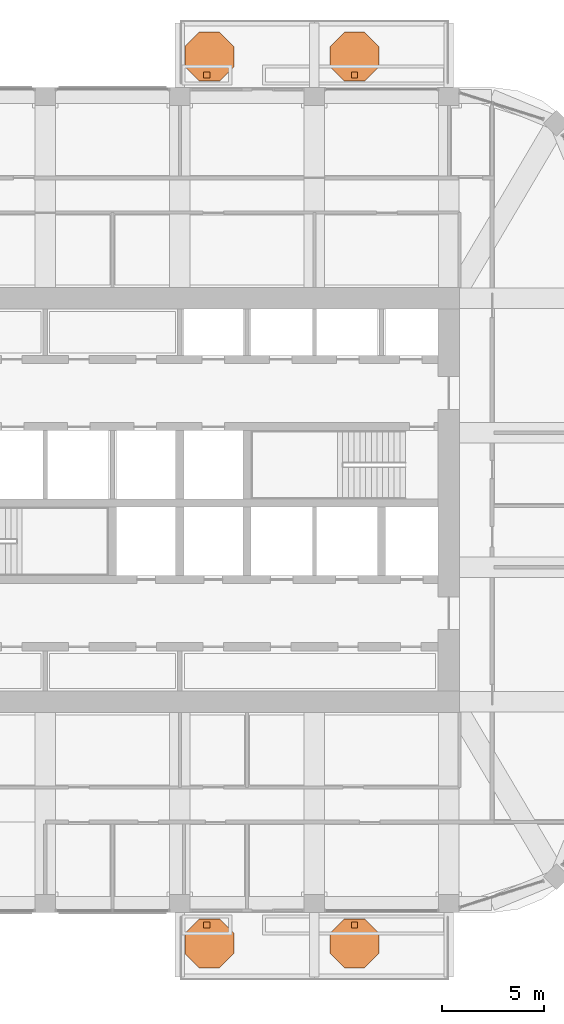
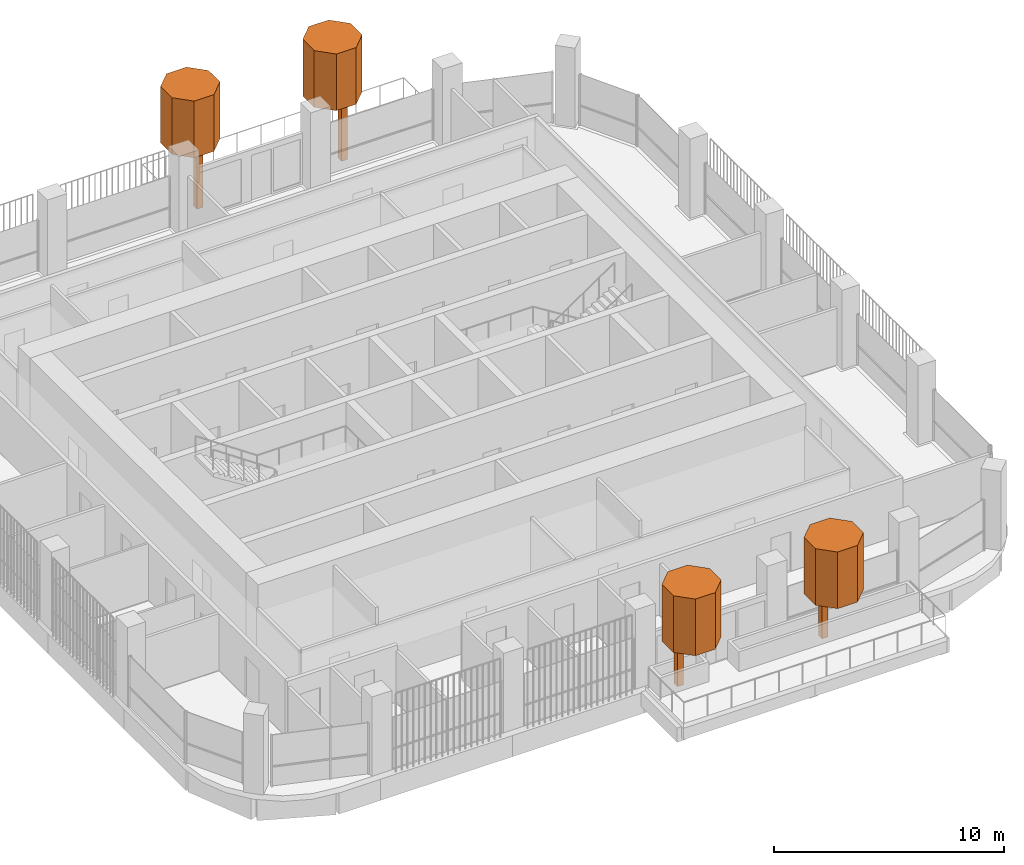
# One storey, part 21 of 21: 8 geographic elements.
"""IFC4 building model written with IfcOpenShell, lengths in metres."""

import ifcopenshell
import ifcopenshell.guid

model = None  # the IFC model being written
_history = None  # IfcOwnerHistory: only IFC2X3 demands one
_inside = {}  # id of a spatial element -> (the spatial element, [elements in it])
_under = {}  # id of a project, library or spatial element -> (it, [spatial elements below it])
_declared = {}  # id of a project -> (the project, [libraries it declares])
_typed = {}  # id of a type object -> (the type object, [elements of that type])
_made_of = {}  # id of a material, layer set ... -> (it, [elements and type objects made of it])


def new_model(schema):
    """Start an empty IFC model of exactly this schema.

    Asked for "IFC4X3", IfcOpenShell would pick the latest addendum, in which some entities
    have other attributes; the version numbers below select the first issue.
    IFC2X3 requires an IfcOwnerHistory on every rooted entity: one is made here for all.
    """
    global model, _history
    if schema == "IFC4X3":
        model = ifcopenshell.file(schema_version=(4, 3, 0, 0))
    else:
        model = ifcopenshell.file(schema=schema)
    _inside.clear()
    _under.clear()
    _declared.clear()
    _typed.clear()
    _made_of.clear()
    _history = None
    if model.schema == "IFC2X3":
        org = make("IfcOrganization", Name="unknown")
        user = make(
            "IfcPersonAndOrganization",
            ThePerson=make("IfcPerson", FamilyName="unknown"),
            TheOrganization=org,
        )
        app = make(
            "IfcApplication",
            ApplicationDeveloper=org,
            Version="unknown",
            ApplicationFullName="unknown",
            ApplicationIdentifier="unknown",
        )
        _history = make(
            "IfcOwnerHistory",
            OwningUser=user,
            OwningApplication=app,
            ChangeAction="ADDED",
            CreationDate=0,
        )
    return model


def make(cls, **values):
    """One entity of the class cls with the attributes given. An attribute that is None is left unset."""
    return model.create_entity(
        cls, **{name: value for name, value in values.items() if value is not None}
    )


def rooted(cls, **values):
    """An entity with a GlobalId (a new one), such as an element, a storey or a relation."""
    return make(cls, GlobalId=ifcopenshell.guid.new(), OwnerHistory=_history, **values)


def si_unit(unit_type, name, prefix=None):
    """IfcSIUnit, for example si_unit("LENGTHUNIT", "METRE", prefix="MILLI")."""
    return make("IfcSIUnit", UnitType=unit_type, Prefix=prefix, Name=name)


def assignment(units):
    """IfcUnitAssignment: the units of a project."""
    return None if units is None else make("IfcUnitAssignment", Units=units)


def point(xyz):
    """IfcCartesianPoint."""
    return None if xyz is None else make("IfcCartesianPoint", Coordinates=xyz)


def direction(xyz):
    """IfcDirection."""
    return None if xyz is None else make("IfcDirection", DirectionRatios=xyz)


def frame(location, z_axis=None, x_axis=None):
    """IfcAxis2Placement3D, a coordinate frame: its origin and axes. An axis left out is left unset."""
    return make(
        "IfcAxis2Placement3D",
        Location=point(location),
        Axis=direction(z_axis),
        RefDirection=direction(x_axis),
    )


def frame_2d(location, x_axis=None):
    """IfcAxis2Placement2D, a coordinate frame in the plane: its origin and x axis."""
    return make(
        "IfcAxis2Placement2D", Location=point(location), RefDirection=direction(x_axis)
    )


def origin():
    """The frame at (0, 0, 0) with its axes left unset."""
    return frame((0.0, 0.0, 0.0))


def origin_2d():
    """The frame at (0, 0) in the plane with its x axis left unset."""
    return frame_2d((0.0, 0.0))


def place(relative_to, where):
    """IfcLocalPlacement: puts the frame where relative to a parent placement (None: the world)."""
    return make(
        "IfcLocalPlacement", PlacementRelTo=relative_to, RelativePlacement=where
    )


def context(
    kind, dimensions, precision=None, world=None, true_north=None, identifier=None
):
    """IfcGeometricRepresentationContext, for example the 3D "Model" context."""
    return make(
        "IfcGeometricRepresentationContext",
        ContextIdentifier=identifier,
        ContextType=kind,
        CoordinateSpaceDimension=dimensions,
        Precision=precision,
        WorldCoordinateSystem=world,
        TrueNorth=true_north,
    )


def subcontext(parent, identifier, kind, view, scale=None):
    """IfcGeometricRepresentationSubContext, for example "Body" below "Model"."""
    return make(
        "IfcGeometricRepresentationSubContext",
        ContextIdentifier=identifier,
        ContextType=kind,
        ParentContext=parent,
        TargetScale=scale,
        TargetView=view,
    )


def project(units=None, contexts=None):
    """IfcProject with its units and contexts."""
    return rooted(
        "IfcProject",
        Name="project",
        RepresentationContexts=contexts,
        UnitsInContext=assignment(units),
    )


def spatial(cls, under=None, at=None, **own):
    """A site, building, storey or space (cls), placed at a placement, below another one or the project."""
    s = rooted(cls, ObjectPlacement=at, **own)
    if under is not None:
        _under.setdefault(under.id(), (under, []))[1].append(s)
    return s


def polyline(points):
    """IfcPolyline through the points."""
    return make("IfcPolyline", Points=[point(p) for p in points])


def profile(cls, at=None, kind="AREA", **sizes):
    """A parametric profile (cls). Its sizes go by their IFC names, for example OverallWidth=200.0."""
    return make(cls, ProfileType=kind, Position=at, **sizes)


def rectangle(**sizes):
    """IfcRectangleProfileDef."""
    return profile("IfcRectangleProfileDef", **sizes)


def outline(outer, holes=None, kind="AREA"):
    """IfcArbitraryClosedProfileDef: a profile drawn as a closed curve; with holes, ...WithVoids."""
    if holes is None:
        return make("IfcArbitraryClosedProfileDef", ProfileType=kind, OuterCurve=outer)
    return make(
        "IfcArbitraryProfileDefWithVoids",
        ProfileType=kind,
        OuterCurve=outer,
        InnerCurves=holes,
    )


def extrude(swept, where, along, depth):
    """IfcExtrudedAreaSolid: the profile swept, set in the frame where, extruded along a direction by depth."""
    return make(
        "IfcExtrudedAreaSolid",
        SweptArea=swept,
        Position=where,
        ExtrudedDirection=direction(along),
        Depth=depth,
    )


def shape(context_of_items, identifier, shape_type, items):
    """IfcShapeRepresentation: the items that make up one representation, for example the "Body"."""
    return make(
        "IfcShapeRepresentation",
        ContextOfItems=context_of_items,
        RepresentationIdentifier=identifier,
        RepresentationType=shape_type,
        Items=items,
    )


def material(Name=None, Category=None):
    """IfcMaterial."""
    return make("IfcMaterial", Name=Name, Category=Category)


def made_of(thing, what):
    """Note that an element or type object is made of a material, layer set ...; save() writes the relation."""
    if what is not None:
        _made_of.setdefault(what.id(), (what, []))[1].append(thing)
    return thing


def type_object(cls, material=None, **own):
    """A type object (cls), such as IfcWallType, which elements share."""
    return made_of(rooted(cls, **own), material)


def element(
    cls,
    number,
    at=None,
    inside=None,
    cuts=None,
    type_object=None,
    material=None,
    context=None,
    identifier="Body",
    shape_type=None,
    held_by="IfcProductDefinitionShape",
    body=None,
    shapes=None,
    **own,
):
    """One element of the class cls, such as IfcWall. Its Tag is "e" and its number.

    at: its placement. inside: the storey or other place that contains it. cuts: it is an
    opening in that element (IfcRelVoidsElement). A single representation is given by context,
    identifier, shape_type and body (its items); several are given by shapes. held_by: the class
    of the entity that holds the representations. save() writes the other relations.
    """
    e = rooted(cls, Tag="e%d" % number, ObjectPlacement=at, **own)
    if body is not None:
        shapes = [shape(context, identifier, shape_type, body)]
    if shapes is not None:
        e.Representation = make(held_by, Representations=shapes)
    if inside is not None:
        _inside.setdefault(inside.id(), (inside, []))[1].append(e)
    if cuts is not None:
        rooted(
            "IfcRelVoidsElement", RelatingBuildingElement=cuts, RelatedOpeningElement=e
        )
    if type_object is not None:
        _typed.setdefault(type_object.id(), (type_object, []))[1].append(e)
    return made_of(e, material)


def aggregate(whole, parts):
    """IfcRelAggregates: a whole, such as a stair, and the parts it consists of."""
    return rooted("IfcRelAggregates", RelatingObject=whole, RelatedObjects=parts)


def save(model, path):
    """Write the relations noted so far, then the file.

    IfcRelAggregates (storeys below a building ...), IfcRelContainedInSpatialStructure (elements
    in a storey), IfcRelDefinesByType, IfcRelAssociatesMaterial and IfcRelDeclares: one each for
    every whole, place, type object, material and project.
    """
    for whole, parts in _under.values():
        aggregate(whole, parts)
    for where, things in _inside.values():
        rooted(
            "IfcRelContainedInSpatialStructure",
            RelatedElements=things,
            RelatingStructure=where,
        )
    for kind, things in _typed.values():
        rooted("IfcRelDefinesByType", RelatedObjects=things, RelatingType=kind)
    for what, things in _made_of.values():
        rooted("IfcRelAssociatesMaterial", RelatedObjects=things, RelatingMaterial=what)
    for by, libraries in _declared.values():
        rooted("IfcRelDeclares", RelatingContext=by, RelatedDefinitions=libraries)
    model.write(path)


model = new_model("IFC4")

# Units and contexts
model_context = context("Model", 3, precision=1e-05, world=origin(), true_north=direction((0.0, 1.0)))
body_context = subcontext(model_context, "Body", "Model", "MODEL_VIEW")
ifc_project = project(units=[si_unit("LENGTHUNIT", "METRE"), si_unit("AREAUNIT", "SQUARE_METRE"), si_unit("VOLUMEUNIT", "CUBIC_METRE"), si_unit("PLANEANGLEUNIT", "RADIAN"), si_unit("MASSUNIT", "GRAM", prefix="KILO")], contexts=[model_context])

# Site, building, storey
site_placement = place(None, origin())
site = spatial("IfcSite", under=ifc_project, at=site_placement, CompositionType="ELEMENT")
building_placement = place(site_placement, origin())
building = spatial("IfcBuilding", under=site, at=building_placement, Name="Cobogo Forest Laboratory Tower", CompositionType="ELEMENT")
storey_placement = place(building_placement, frame((0.0, 0.0, 258.60009765625)))
storey = spatial("IfcBuildingStorey", under=building, at=storey_placement, Name="L59", CompositionType="ELEMENT", Elevation=258.60009765625)

# Geographic elements
ifc_material = material(Name="Planting", Category="plant")
geographic_element_type_1 = type_object("IfcGeographicElementType", Name="Tree trunk 300", PredefinedType="USERDEFINED", material=ifc_material)
for number, where, z_axis, x_axis, name in (
    (1, (27.72509765625, 2.25, 0.0), (0.0, 0.0, 1.0), (1.0, 0.0, 0.0), "Tree trunk BAL-S1-PL1 L59"),
    (2, (34.97509765625, 2.25, 0.0), (0.0, 0.0, 1.0), (1.0, 0.0, 0.0), "Tree trunk BAL-S1-PL2 L59"),
    (3, (27.72509765625, 43.949951171875, 0.0), (0.0, 0.0, 1.0), (1.0, 0.0, 0.0), "Tree trunk BAL-N1-PL1 L59"),
    (4, (34.97509765625, 43.949951171875, 0.0), (0.0, 0.0, 1.0), (1.0, 0.0, 0.0), "Tree trunk BAL-N1-PL2 L59"),
):
    element("IfcGeographicElement", number, at=place(storey_placement, frame(where, z_axis=z_axis, x_axis=x_axis)), inside=storey, type_object=geographic_element_type_1, Name=name, ObjectType="TREE TRUNK", PredefinedType="USERDEFINED", context=body_context, shape_type="SweptSolid", body=[
        extrude(rectangle(XDim=0.300048828125, YDim=0.300048828125, at=origin_2d()), origin(), (0.0, 0.0, 1.0), 2.89990234375),
    ])
geographic_element_type_2 = type_object("IfcGeographicElementType", Name="Tree, holm oak 5 m", PredefinedType="USERDEFINED", material=ifc_material)
geographic_element_1_placement = place(storey_placement, frame((0.0, 0.0, 2.89990234375)))
element("IfcGeographicElement", 5, at=geographic_element_1_placement, inside=storey, type_object=geographic_element_type_2, Name="Holm tree BAL-S1-PL1 L59", ObjectType="TREE", PredefinedType="USERDEFINED", context=body_context, shape_type="SweptSolid", body=[
    extrude(outline(polyline([(29.050048828125, 0.85302734375), (29.050048828125, 1.84716796875), (28.34716796875, 2.550048828125), (27.35302734375, 2.550048828125), (26.64990234375, 1.84716796875), (26.64990234375, 0.85302734375), (27.35302734375, 0.14990234375), (28.34716796875, 0.14990234375), (29.050048828125, 0.85302734375)])), origin(), (0.0, 0.0, 1.0), 3.0),
])
geographic_element_2_placement = place(storey_placement, frame((0.0, 0.0, 2.89990234375)))
element("IfcGeographicElement", 6, at=geographic_element_2_placement, inside=storey, type_object=geographic_element_type_2, Name="Holm tree BAL-S1-PL2 L59", ObjectType="TREE", PredefinedType="USERDEFINED", context=body_context, shape_type="SweptSolid", body=[
    extrude(outline(polyline([(36.175048828125, 0.85302734375), (36.175048828125, 1.84716796875), (35.47216796875, 2.550048828125), (34.47802734375, 2.550048828125), (33.77490234375, 1.84716796875), (33.77490234375, 0.85302734375), (34.47802734375, 0.14990234375), (35.47216796875, 0.14990234375), (36.175048828125, 0.85302734375)])), origin(), (0.0, 0.0, 1.0), 3.0),
])
geographic_element_3_placement = place(storey_placement, frame((0.0, 0.0, 2.89990234375)))
element("IfcGeographicElement", 7, at=geographic_element_3_placement, inside=storey, type_object=geographic_element_type_2, Name="Holm tree BAL-N1-PL1 L59", ObjectType="TREE", PredefinedType="USERDEFINED", context=body_context, shape_type="SweptSolid", body=[
    extrude(outline(polyline([(29.050048828125, 44.35302734375), (29.050048828125, 45.34716796875), (28.34716796875, 46.050048828125), (27.35302734375, 46.050048828125), (26.64990234375, 45.34716796875), (26.64990234375, 44.35302734375), (27.35302734375, 43.64990234375), (28.34716796875, 43.64990234375), (29.050048828125, 44.35302734375)])), origin(), (0.0, 0.0, 1.0), 3.0),
])
geographic_element_4_placement = place(storey_placement, frame((0.0, 0.0, 2.89990234375)))
element("IfcGeographicElement", 8, at=geographic_element_4_placement, inside=storey, type_object=geographic_element_type_2, Name="Holm tree BAL-N1-PL2 L59", ObjectType="TREE", PredefinedType="USERDEFINED", context=body_context, shape_type="SweptSolid", body=[
    extrude(outline(polyline([(36.175048828125, 44.35302734375), (36.175048828125, 45.34716796875), (35.47216796875, 46.050048828125), (34.47802734375, 46.050048828125), (33.77490234375, 45.34716796875), (33.77490234375, 44.35302734375), (34.47802734375, 43.64990234375), (35.47216796875, 43.64990234375), (36.175048828125, 44.35302734375)])), origin(), (0.0, 0.0, 1.0), 3.0),
])

save(model, "model.ifc")
